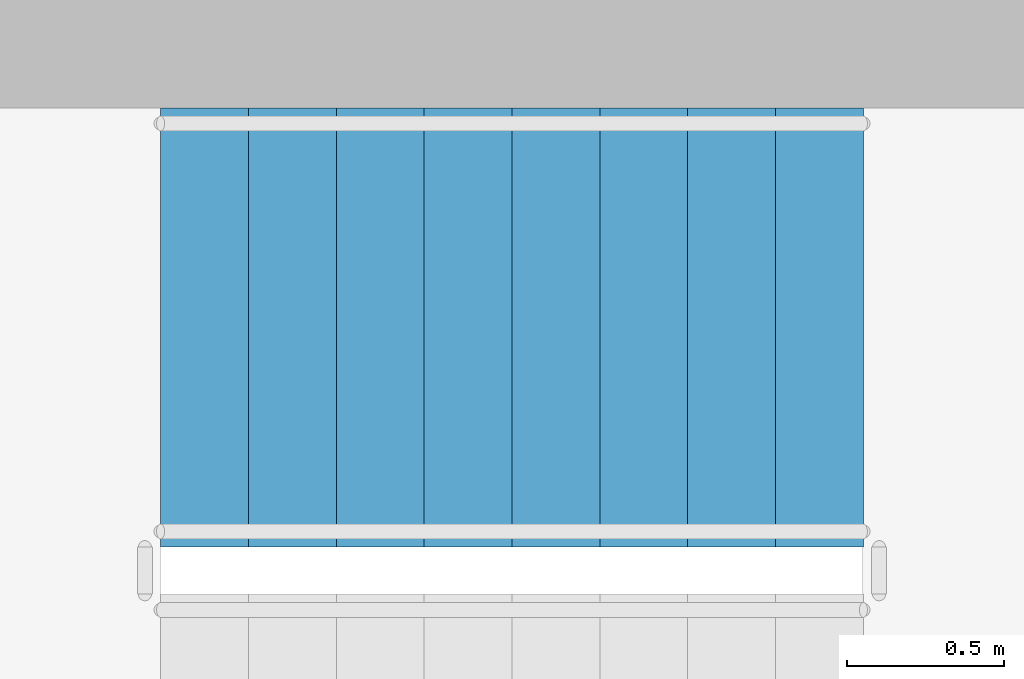
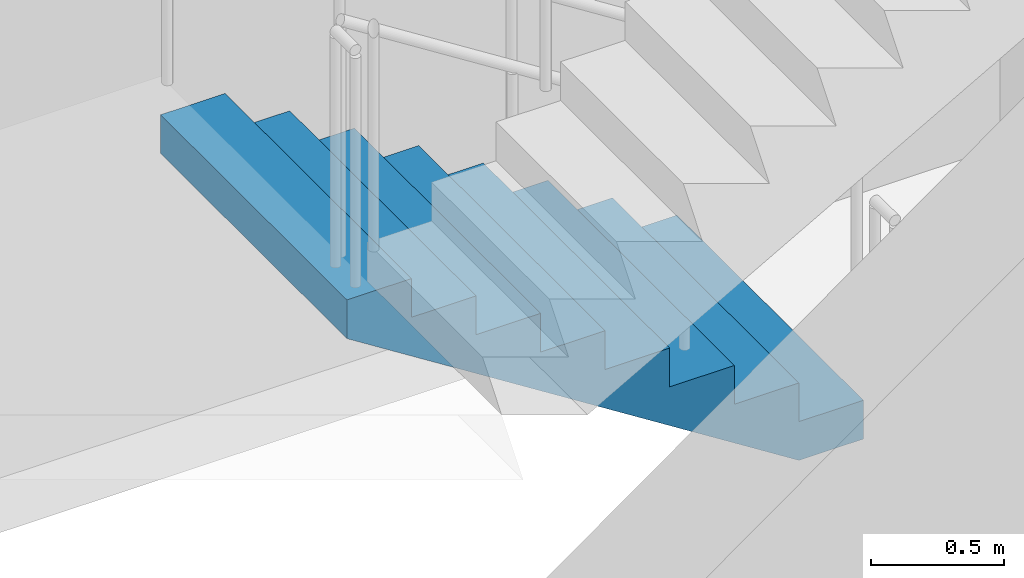
# One storey, part 8 of 12: 1 stair flight, 1 element without a shape of its own.
"""IFC4 building model written with IfcOpenShell, lengths in metres."""

from ifc_helpers import new_model, si_unit, direction, frame, origin, place, context, subcontext, project, spatial, polyline, outline, extrude, source, transform, mapped, material, type_object, element, aggregate, save


model = new_model("IFC4")

# Units and contexts
model_context = context("Model", 3, precision=1e-05, world=origin(), true_north=direction((0.0, 1.0)))
body_context = subcontext(model_context, "Body", "Model", "MODEL_VIEW")
ifc_project = project(units=[si_unit("LENGTHUNIT", "METRE"), si_unit("AREAUNIT", "SQUARE_METRE"), si_unit("VOLUMEUNIT", "CUBIC_METRE"), si_unit("PLANEANGLEUNIT", "RADIAN"), si_unit("MASSUNIT", "GRAM", prefix="KILO")], contexts=[model_context])

# Site, building, storey
site_placement = place(None, origin())
site = spatial("IfcSite", under=ifc_project, at=site_placement, CompositionType="ELEMENT")
building_placement = place(site_placement, origin())
building = spatial("IfcBuilding", under=site, at=building_placement, Name="Qafzar Sky-Pleat Residences", CompositionType="ELEMENT")
storey_placement = place(building_placement, frame((0.0, 0.0, 177.800048828125)))
storey = spatial("IfcBuildingStorey", under=building, at=storey_placement, Name="L53", CompositionType="ELEMENT", Elevation=177.800048828125)

# Stair, stair flight
ifc_material = material(Name="Concrete C40/50", Category="concrete")
stair_type = type_object("IfcStairType", Name="STAIR-H320", PredefinedType="HALF_TURN_STAIR", material=ifc_material)
stair_placement = place(storey_placement, origin())
stair = element("IfcStair", 1, at=stair_placement, inside=storey, type_object=stair_type, Name="L53 Protected Exit Stair ST2", PredefinedType="HALF_TURN_STAIR")
stair_flight_type = type_object("IfcStairFlightType", Name="FLIGHT-H320", PredefinedType="STRAIGHT", material=ifc_material)
shared_shape = source(origin(), body_context, "Body", "SweptSolid", [
    extrude(outline(polyline([(0.0, 0.0), (0.0, 0.177734375), (0.280029296875, 0.177734375), (0.280029296875, 0.35546875), (0.56005859375, 0.35546875), (0.56005859375, 0.533447265625), (0.840087890625, 0.533447265625), (0.840087890625, 0.711181640625), (1.1201171875, 0.711181640625), (1.1201171875, 0.888916015625), (1.39990234375, 0.888916015625), (1.39990234375, 1.066650390625), (1.679931640625, 1.066650390625), (1.679931640625, 1.244384765625), (1.9599609375, 1.244384765625), (1.9599609375, 1.422119140625), (2.239990234375, 1.422119140625), (2.239990234375, 1.60009765625), (2.239990234375, 1.24462890625), (0.27978515625, 0.0), (0.0, 0.0)])), frame((0.0, 0.699951171875, 0.0), z_axis=(0.0, -1.0, 0.0), x_axis=(1.0, 0.0, 0.0)), (0.0, 0.0, 1.0), 1.39990234375),
])
stair_flight_placement = place(storey_placement, frame((30.800048828125, 33.10009765625, 0.0), z_axis=(0.0, 0.0, 1.0), x_axis=(-1.0, 0.0, 0.0)))
stair_flight = element("IfcStairFlight", 2, at=stair_flight_placement, type_object=stair_flight_type, Name="ST2 flight 1", NumberOfRisers=9, NumberOfTreads=8, PredefinedType="STRAIGHT", RiserHeight=0.177777778, TreadLength=0.28, context=body_context, shape_type="MappedRepresentation", body=[
    mapped(shared_shape, transform((0.0, 0.0, 0.0), x_axis=(1.0, 0.0, 0.0), y_axis=(0.0, 1.0, 0.0), z_axis=(0.0, 0.0, 1.0), scale=1.0)),
])
aggregate(stair, [stair_flight])

save(model, "model.ifc")
